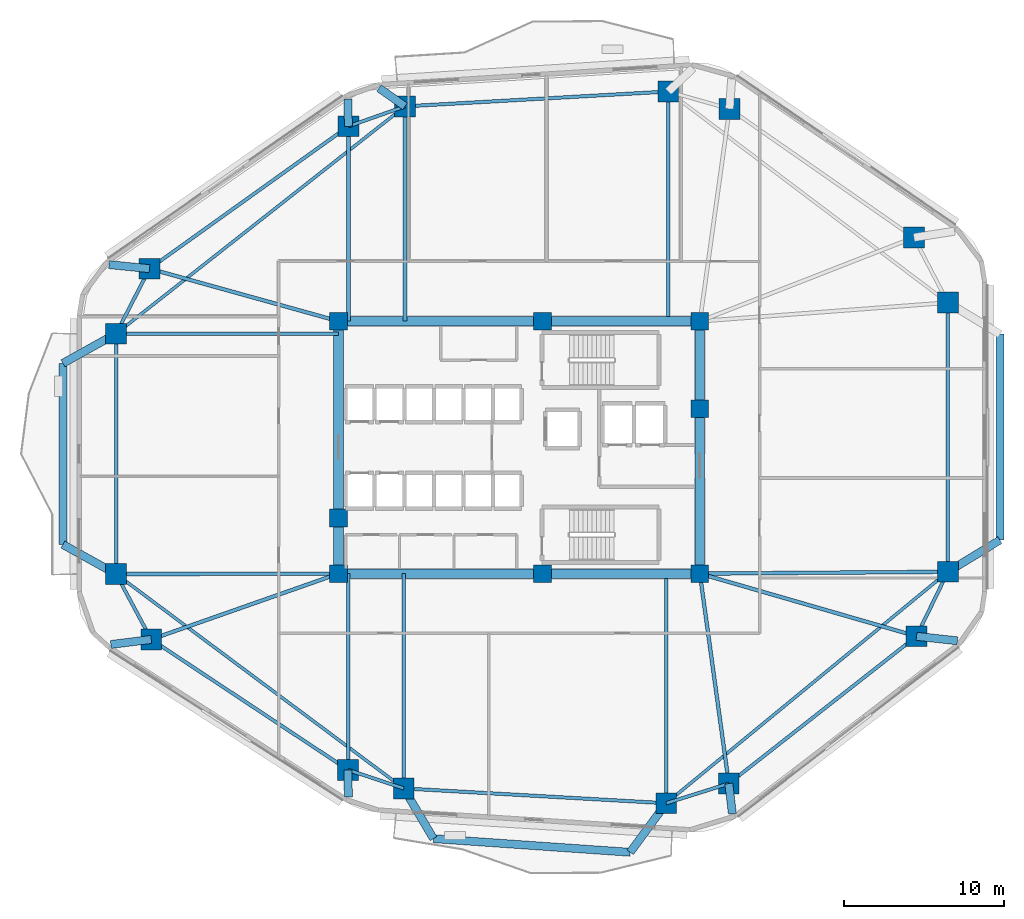
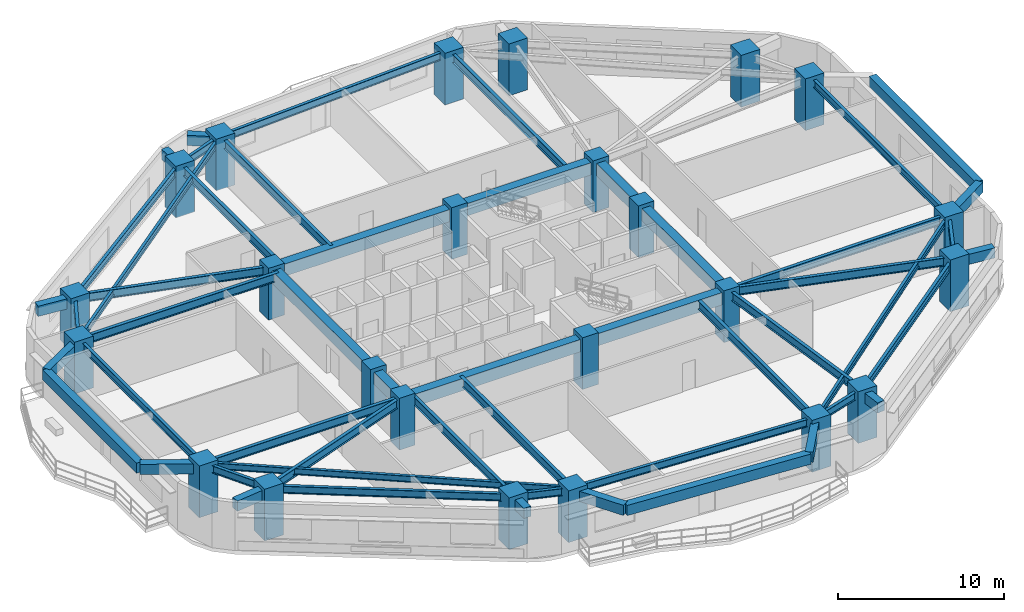
# One storey, part 1 of 9: 52 beams, 24 columns.
"""IFC4 building model written with IfcOpenShell, lengths in metres."""

from ifc_helpers import new_model, si_unit, direction, frame, origin, origin_2d, place, context, subcontext, project, spatial, rectangle, i_section, extrude, material, material_profile, profile_set, type_object, element, save


model = new_model("IFC4")

# Units and contexts
model_context = context("Model", 3, precision=1e-05, world=origin(), true_north=direction((0.0, 1.0)))
body_context = subcontext(model_context, "Body", "Model", "MODEL_VIEW")
ifc_project = project(units=[si_unit("LENGTHUNIT", "METRE"), si_unit("AREAUNIT", "SQUARE_METRE"), si_unit("VOLUMEUNIT", "CUBIC_METRE"), si_unit("PLANEANGLEUNIT", "RADIAN"), si_unit("MASSUNIT", "GRAM", prefix="KILO")], contexts=[model_context])

# Site, building, storey
site_placement = place(None, origin())
site = spatial("IfcSite", under=ifc_project, at=site_placement, CompositionType="ELEMENT")
building_placement = place(site_placement, origin())
building = spatial("IfcBuilding", under=site, at=building_placement, Name="Zulverin Broadcast Headquarters", CompositionType="ELEMENT")
storey_placement = place(building_placement, frame((0.0, 0.0, 51.60009765625)))
storey = spatial("IfcBuildingStorey", under=building, at=storey_placement, Name="L12", CompositionType="ELEMENT", Elevation=51.60009765625)

# Columns
ifc_material_1 = material(Name="Concrete C60/75", Category="concrete")
ifc_material_profile_1 = material_profile(ifc_material_1, rectangle(XDim=1.300048828125, YDim=1.300048828125, at=origin_2d()), Name="Concrete C60/75", Category="concrete")
ifc_profile_set_1 = profile_set([ifc_material_profile_1], Name="Concrete C60/75")
column_type_1 = type_object("IfcColumnType", Name="COL-RC-1300", PredefinedType="COLUMN", material=ifc_profile_set_1)
for number, where, z_axis, x_axis, name in (
    (1, (29.79638671875, 3.922119140625, 0.0), (0.0, 0.0, 1.0), (1.0, 0.0, 0.0), "L12 Perimeter Column T01"),
    (2, (46.175048828125, 2.997802734375, 0.0), (0.0, 0.0, 1.0), (1.0, 0.0, 0.0), "L12 Perimeter Column T02"),
    (3, (50.08056640625, 4.22509765625, 0.0), (0.0, 0.0, 1.0), (1.0, 0.0, 0.0), "L12 Perimeter Column T03"),
    (4, (61.79296875, 13.416259765625, 0.0), (0.0, 0.0, 1.0), (1.0, 0.0, 0.0), "L12 Perimeter Column T04"),
    (5, (63.75, 17.439697265625, 0.0), (0.0, 0.0, 1.0), (1.0, 0.0, 0.0), "L12 Perimeter Column T05"),
    (6, (63.75, 34.235107421875, 0.0), (0.0, 0.0, 1.0), (1.0, 0.0, 0.0), "L12 Perimeter Column T06"),
    (7, (61.630126953125, 38.298583984375, 0.0), (0.0, 0.0, 1.0), (1.0, 0.0, 0.0), "L12 Perimeter Column T07"),
    (8, (50.121826171875, 46.325927734375, 0.0), (0.0, 0.0, 1.0), (1.0, 0.0, 0.0), "L12 Perimeter Column T08"),
    (9, (46.30224609375, 47.4091796875, 0.0), (0.0, 0.0, 1.0), (1.0, 0.0, 0.0), "L12 Perimeter Column T09"),
    (10, (29.873779296875, 46.482177734375, 0.0), (0.0, 0.0, 1.0), (1.0, 0.0, 0.0), "L12 Perimeter Column T10"),
    (11, (26.344482421875, 45.23828125, 0.0), (0.0, 0.0, 1.0), (1.0, 0.0, 0.0), "L12 Perimeter Column T11"),
    (12, (13.934326171875, 36.353759765625, 0.0), (0.0, 0.0, 1.0), (1.0, 0.0, 0.0), "L12 Perimeter Column T12"),
    (13, (11.85009765625, 32.298095703125, 0.0), (0.0, 0.0, 1.0), (1.0, 0.0, 0.0), "L12 Perimeter Column T13"),
    (14, (11.85009765625, 17.297607421875, 0.0), (0.0, 0.0, 1.0), (1.0, 0.0, 0.0), "L12 Perimeter Column T14"),
    (15, (14.0390625, 13.219970703125, 0.0), (0.0, 0.0, 1.0), (1.0, 0.0, 0.0), "L12 Perimeter Column T15"),
    (16, (26.3251953125, 5.075927734375, 0.0), (0.0, 0.0, 1.0), (1.0, 0.0, 0.0), "L12 Perimeter Column T16"),
):
    element("IfcColumn", number, at=place(storey_placement, frame(where, z_axis=z_axis, x_axis=x_axis)), inside=storey, type_object=column_type_1, Name=name, PredefinedType="COLUMN", context=body_context, shape_type="SweptSolid", body=[
        extrude(rectangle(XDim=1.300048828125, YDim=1.300048828125, at=origin_2d()), origin(), (0.0, 0.0, 1.0), 3.7998046875),
    ])
ifc_material_profile_2 = material_profile(ifc_material_1, rectangle(XDim=1.10009765625, YDim=1.10009765625, at=origin_2d()), Name="Concrete C60/75", Category="concrete")
ifc_profile_set_2 = profile_set([ifc_material_profile_2], Name="Concrete C60/75")
column_type_2 = type_object("IfcColumnType", Name="PIL-RC-1100", PredefinedType="PILASTER", material=ifc_profile_set_2)
for number, where, z_axis, x_axis, name in (
    (17, (25.72509765625, 17.324951171875, 0.0), (0.0, 0.0, 1.0), (1.0, 0.0, 0.0), "L12 Core Pilaster K01"),
    (18, (38.449951171875, 17.324951171875, 0.0), (0.0, 0.0, 1.0), (1.0, 0.0, 0.0), "L12 Core Pilaster K02"),
    (19, (48.27490234375, 17.324951171875, 0.0), (0.0, 0.0, 1.0), (1.0, 0.0, 0.0), "L12 Core Pilaster K03"),
    (20, (48.27490234375, 27.6201171875, 0.0), (0.0, 0.0, 1.0), (1.0, 0.0, 0.0), "L12 Core Pilaster K04"),
    (21, (48.27490234375, 33.074951171875, 0.0), (0.0, 0.0, 1.0), (1.0, 0.0, 0.0), "L12 Core Pilaster K05"),
    (22, (38.449951171875, 33.074951171875, 0.0), (0.0, 0.0, 1.0), (1.0, 0.0, 0.0), "L12 Core Pilaster K06"),
    (23, (25.72509765625, 33.074951171875, 0.0), (0.0, 0.0, 1.0), (1.0, 0.0, 0.0), "L12 Core Pilaster K07"),
    (24, (25.72509765625, 20.800048828125, 0.0), (0.0, 0.0, 1.0), (1.0, 0.0, 0.0), "L12 Core Pilaster K08"),
):
    element("IfcColumn", number, at=place(storey_placement, frame(where, z_axis=z_axis, x_axis=x_axis)), inside=storey, type_object=column_type_2, Name=name, PredefinedType="PILASTER", context=body_context, shape_type="SweptSolid", body=[
        extrude(rectangle(XDim=1.10009765625, YDim=1.10009765625, at=origin_2d()), origin(), (0.0, 0.0, 1.0), 3.7998046875),
    ])

# Beams
ifc_material_profile_3 = material_profile(ifc_material_1, rectangle(XDim=0.60009765625, YDim=0.89990234375, at=origin_2d()), Name="Concrete C60/75", Category="concrete")
ifc_profile_set_3 = profile_set([ifc_material_profile_3], Name="Concrete C60/75")
beam_type_1 = type_object("IfcBeamType", Name="BM-CB-600x900", PredefinedType="LINTEL", material=ifc_profile_set_3)
beam_1_placement = place(storey_placement, frame((25.72509765625, 17.324951171875, 3.074951171875), z_axis=(1.0, 0.0, 0.0), x_axis=(0.0, 1.0, 0.0)))
element("IfcBeam", 25, at=beam_1_placement, inside=storey, type_object=beam_type_1, Name="L12 Core Coupling Girder K01-K02", PredefinedType="LINTEL", context=body_context, shape_type="SweptSolid", body=[
    extrude(rectangle(XDim=0.60009765625, YDim=0.89990234375, at=origin_2d()), origin(), (0.0, 0.0, 1.0), 12.724853515625),
])
beam_2_placement = place(storey_placement, frame((38.449951171875, 17.324951171875, 3.074951171875), z_axis=(1.0, 0.0, 0.0), x_axis=(0.0, 1.0, 0.0)))
element("IfcBeam", 26, at=beam_2_placement, inside=storey, type_object=beam_type_1, Name="L12 Core Coupling Girder K02-K03", PredefinedType="LINTEL", context=body_context, shape_type="SweptSolid", body=[
    extrude(rectangle(XDim=0.60009765625, YDim=0.89990234375, at=origin_2d()), origin(), (0.0, 0.0, 1.0), 9.824951171875),
])
beam_3_placement = place(storey_placement, frame((48.27490234375, 17.324951171875, 3.074951171875), z_axis=(0.0, 1.0, 0.0), x_axis=(-1.0, 0.0, 0.0)))
element("IfcBeam", 27, at=beam_3_placement, inside=storey, type_object=beam_type_1, Name="L12 Core Coupling Girder K03-K04", PredefinedType="LINTEL", context=body_context, shape_type="SweptSolid", body=[
    extrude(rectangle(XDim=0.60009765625, YDim=0.89990234375, at=origin_2d()), origin(), (0.0, 0.0, 1.0), 10.295166015625),
])
beam_4_placement = place(storey_placement, frame((48.27490234375, 27.6201171875, 3.074951171875), z_axis=(0.0, 1.0, 0.0), x_axis=(-1.0, 0.0, 0.0)))
element("IfcBeam", 28, at=beam_4_placement, inside=storey, type_object=beam_type_1, Name="L12 Core Coupling Girder K04-K05", PredefinedType="LINTEL", context=body_context, shape_type="SweptSolid", body=[
    extrude(rectangle(XDim=0.60009765625, YDim=0.89990234375, at=origin_2d()), origin(), (0.0, 0.0, 1.0), 5.454833984375),
])
beam_5_placement = place(storey_placement, frame((48.27490234375, 33.074951171875, 3.074951171875), z_axis=(-1.0, 0.0, 0.0), x_axis=(0.0, -1.0, 0.0)))
element("IfcBeam", 29, at=beam_5_placement, inside=storey, type_object=beam_type_1, Name="L12 Core Coupling Girder K05-K06", PredefinedType="LINTEL", context=body_context, shape_type="SweptSolid", body=[
    extrude(rectangle(XDim=0.60009765625, YDim=0.89990234375, at=origin_2d()), origin(), (0.0, 0.0, 1.0), 9.824951171875),
])
beam_6_placement = place(storey_placement, frame((38.449951171875, 33.074951171875, 3.074951171875), z_axis=(-1.0, 0.0, 0.0), x_axis=(0.0, -1.0, 0.0)))
element("IfcBeam", 30, at=beam_6_placement, inside=storey, type_object=beam_type_1, Name="L12 Core Coupling Girder K06-K07", PredefinedType="LINTEL", context=body_context, shape_type="SweptSolid", body=[
    extrude(rectangle(XDim=0.60009765625, YDim=0.89990234375, at=origin_2d()), origin(), (0.0, 0.0, 1.0), 12.724853515625),
])
beam_7_placement = place(storey_placement, frame((25.72509765625, 33.074951171875, 3.074951171875), z_axis=(0.0, -1.0, 0.0), x_axis=(1.0, 0.0, 0.0)))
element("IfcBeam", 31, at=beam_7_placement, inside=storey, type_object=beam_type_1, Name="L12 Core Coupling Girder K07-K08", PredefinedType="LINTEL", context=body_context, shape_type="SweptSolid", body=[
    extrude(rectangle(XDim=0.60009765625, YDim=0.89990234375, at=origin_2d()), origin(), (0.0, 0.0, 1.0), 12.27490234375),
])
beam_8_placement = place(storey_placement, frame((25.72509765625, 20.800048828125, 3.074951171875), z_axis=(0.0, -1.0, 0.0), x_axis=(1.0, 0.0, 0.0)))
element("IfcBeam", 32, at=beam_8_placement, inside=storey, type_object=beam_type_1, Name="L12 Core Coupling Girder K08-K01", PredefinedType="LINTEL", context=body_context, shape_type="SweptSolid", body=[
    extrude(rectangle(XDim=0.60009765625, YDim=0.89990234375, at=origin_2d()), origin(), (0.0, 0.0, 1.0), 3.47509765625),
])
ifc_material_2 = material(Name="Concrete C40/50", Category="concrete")
ifc_material_profile_4 = material_profile(ifc_material_2, rectangle(XDim=0.5, YDim=0.75, at=origin_2d()), Name="Concrete C40/50", Category="concrete")
ifc_profile_set_4 = profile_set([ifc_material_profile_4], Name="Concrete C40/50")
beam_type_2 = type_object("IfcBeamType", Name="BM-RC-500x750", PredefinedType="BEAM", material=ifc_profile_set_4)
beam_9_placement = place(storey_placement, frame((50.08056640625, 4.22509765625, 3.14990234375), z_axis=(0.115916621896, -0.99325894749, 0.0), x_axis=(0.99325894749, 0.115916621896, 0.0)))
element("IfcBeam", 33, at=beam_9_placement, inside=storey, type_object=beam_type_2, Name="L13 Plate Overhang Back-Spanned Beam OVR-03", PredefinedType="BEAM", context=body_context, shape_type="SweptSolid", body=[
    extrude(rectangle(XDim=0.5, YDim=0.75, at=origin_2d()), origin(), (0.0, 0.0, 1.0), 1.899658203125),
])
beam_10_placement = place(storey_placement, frame((61.79296875, 13.416259765625, 3.14990234375), z_axis=(0.993797661948, -0.111203449166, 0.0), x_axis=(0.111203449166, 0.993797661948, 0.0)))
element("IfcBeam", 34, at=beam_10_placement, inside=storey, type_object=beam_type_2, Name="L13 Plate Overhang Back-Spanned Beam OVR-04", PredefinedType="BEAM", context=body_context, shape_type="SweptSolid", body=[
    extrude(rectangle(XDim=0.5, YDim=0.75, at=origin_2d()), origin(), (0.0, 0.0, 1.0), 2.568603515625),
])
beam_11_placement = place(storey_placement, frame((29.873779296875, 46.482177734375, 3.14990234375), z_axis=(-0.817148773783, 0.576426822333, 0.0), x_axis=(-0.576426822333, -0.817148773783, 0.0)))
element("IfcBeam", 35, at=beam_11_placement, inside=storey, type_object=beam_type_2, Name="L13 Plate Overhang Back-Spanned Beam OVR-10", PredefinedType="BEAM", context=body_context, shape_type="SweptSolid", body=[
    extrude(rectangle(XDim=0.5, YDim=0.75, at=origin_2d()), origin(), (0.0, 0.0, 1.0), 1.981689453125),
])
beam_12_placement = place(storey_placement, frame((26.344482421875, 45.23828125, 3.14990234375), z_axis=(-0.025024345209, 0.999686842039, 0.0), x_axis=(-0.999686842039, -0.025024345209, 0.0)))
element("IfcBeam", 36, at=beam_12_placement, inside=storey, type_object=beam_type_2, Name="L13 Plate Overhang Back-Spanned Beam OVR-11", PredefinedType="BEAM", context=body_context, shape_type="SweptSolid", body=[
    extrude(rectangle(XDim=0.5, YDim=0.75, at=origin_2d()), origin(), (0.0, 0.0, 1.0), 1.707275390625),
])
beam_13_placement = place(storey_placement, frame((13.934326171875, 36.353759765625, 3.14990234375), z_axis=(-0.995008621602, 0.09978899207, 0.0), x_axis=(-0.09978899207, -0.995008621602, 0.0)))
element("IfcBeam", 37, at=beam_13_placement, inside=storey, type_object=beam_type_2, Name="L13 Plate Overhang Back-Spanned Beam OVR-12", PredefinedType="BEAM", context=body_context, shape_type="SweptSolid", body=[
    extrude(rectangle(XDim=0.5, YDim=0.75, at=origin_2d()), origin(), (0.0, 0.0, 1.0), 2.5419921875),
])
beam_14_placement = place(storey_placement, frame((14.0390625, 13.219970703125, 3.14990234375), z_axis=(-0.992258640565, -0.124188526941, 0.0), x_axis=(0.124188526941, -0.992258640565, 0.0)))
element("IfcBeam", 38, at=beam_14_placement, inside=storey, type_object=beam_type_2, Name="L13 Plate Overhang Back-Spanned Beam OVR-15", PredefinedType="BEAM", context=body_context, shape_type="SweptSolid", body=[
    extrude(rectangle(XDim=0.5, YDim=0.75, at=origin_2d()), origin(), (0.0, 0.0, 1.0), 2.5400390625),
])
beam_15_placement = place(storey_placement, frame((26.3251953125, 5.075927734375, 3.14990234375), z_axis=(0.006204786761, -0.999980750125, 0.0), x_axis=(0.999980750125, 0.006204786761, 0.0)))
element("IfcBeam", 39, at=beam_15_placement, inside=storey, type_object=beam_type_2, Name="L13 Plate Overhang Back-Spanned Beam OVR-16", PredefinedType="BEAM", context=body_context, shape_type="SweptSolid", body=[
    extrude(rectangle(XDim=0.5, YDim=0.75, at=origin_2d()), origin(), (0.0, 0.0, 1.0), 1.69189453125),
])
beam_16_placement = place(storey_placement, frame((63.75, 17.439697265625, 3.14990234375), z_axis=(0.853769010652, 0.520651972483, 0.0), x_axis=(-0.520651972483, 0.853769010652, 0.0)))
element("IfcBeam", 40, at=beam_16_placement, inside=storey, type_object=beam_type_2, Name="L13 Balcony Column-Framed Cantilever BAL_E-1", PredefinedType="BEAM", context=body_context, shape_type="SweptSolid", body=[
    extrude(rectangle(XDim=0.5, YDim=0.75, at=origin_2d()), origin(), (0.0, 0.0, 1.0), 3.800048828125),
])
beam_17_placement = place(storey_placement, frame((66.994384765625, 19.418212890625, 3.14990234375), z_axis=(0.000531985561, 0.999999858496, 0.0), x_axis=(-0.999999858496, 0.000531985561, 0.0)))
element("IfcBeam", 41, at=beam_17_placement, inside=storey, type_object=beam_type_2, Name="L13 Balcony Outer Edge Trimmer Beam BAL_E", PredefinedType="BEAM", context=body_context, shape_type="SweptSolid", body=[
    extrude(rectangle(XDim=0.5, YDim=0.75, at=origin_2d()), origin(), (0.0, 0.0, 1.0), 12.849853515625),
])
beam_18_placement = place(storey_placement, frame((29.79638671875, 3.922119140625, 3.14990234375), z_axis=(0.50927124685, -0.860606063848, 0.0), x_axis=(0.860606063848, 0.50927124685, 0.0)))
element("IfcBeam", 42, at=beam_18_placement, inside=storey, type_object=beam_type_2, Name="L13 Balcony Column-Framed Cantilever BAL_S-1", PredefinedType="BEAM", context=body_context, shape_type="SweptSolid", body=[
    extrude(rectangle(XDim=0.5, YDim=0.75, at=origin_2d()), origin(), (0.0, 0.0, 1.0), 3.641845703125),
])
beam_19_placement = place(storey_placement, frame((46.175048828125, 2.997802734375, 3.14990234375), z_axis=(-0.592479980496, -0.805585174088, 0.0), x_axis=(0.805585174088, -0.592479980496, 0.0)))
element("IfcBeam", 43, at=beam_19_placement, inside=storey, type_object=beam_type_2, Name="L13 Balcony Column-Framed Cantilever BAL_S-2", PredefinedType="BEAM", context=body_context, shape_type="SweptSolid", body=[
    extrude(rectangle(XDim=0.5, YDim=0.75, at=origin_2d()), origin(), (0.0, 0.0, 1.0), 3.800048828125),
])
beam_20_placement = place(storey_placement, frame((31.651123046875, 0.787841796875, 3.14990234375), z_axis=(0.997602675733, -0.069201888483, 0.0), x_axis=(0.069201888483, 0.997602675733, 0.0)))
element("IfcBeam", 44, at=beam_20_placement, inside=storey, type_object=beam_type_2, Name="L13 Balcony Outer Edge Trimmer Beam BAL_S", PredefinedType="BEAM", context=body_context, shape_type="SweptSolid", body=[
    extrude(rectangle(XDim=0.5, YDim=0.75, at=origin_2d()), origin(), (0.0, 0.0, 1.0), 12.302001953125),
])
beam_21_placement = place(storey_placement, frame((11.85009765625, 32.298095703125, 3.14990234375), z_axis=(-0.873763019306, -0.486351915893, 0.0), x_axis=(0.486351915893, -0.873763019306, 0.0)))
element("IfcBeam", 45, at=beam_21_placement, inside=storey, type_object=beam_type_2, Name="L13 Balcony Column-Framed Cantilever BAL_W-1", PredefinedType="BEAM", context=body_context, shape_type="SweptSolid", body=[
    extrude(rectangle(XDim=0.5, YDim=0.75, at=origin_2d()), origin(), (0.0, 0.0, 1.0), 3.800048828125),
])
beam_22_placement = place(storey_placement, frame((11.85009765625, 17.297607421875, 3.14990234375), z_axis=(-0.874363278793, 0.485271940975, 0.0), x_axis=(-0.485271940975, -0.874363278793, 0.0)))
element("IfcBeam", 46, at=beam_22_placement, inside=storey, type_object=beam_type_2, Name="L13 Balcony Column-Framed Cantilever BAL_W-2", PredefinedType="BEAM", context=body_context, shape_type="SweptSolid", body=[
    extrude(rectangle(XDim=0.5, YDim=0.75, at=origin_2d()), origin(), (0.0, 0.0, 1.0), 3.7998046875),
])
beam_23_placement = place(storey_placement, frame((8.52978515625, 30.449951171875, 3.14990234375), z_axis=(-0.000194304709, -0.999999981123, 0.0), x_axis=(0.999999981123, -0.000194304709, 0.0)))
element("IfcBeam", 47, at=beam_23_placement, inside=storey, type_object=beam_type_2, Name="L13 Balcony Outer Edge Trimmer Beam BAL_W", PredefinedType="BEAM", context=body_context, shape_type="SweptSolid", body=[
    extrude(rectangle(XDim=0.5, YDim=0.75, at=origin_2d()), origin(), (0.0, 0.0, 1.0), 11.308349609375),
])
ifc_material_3 = material(Name="Structural steel S355JR", Category="steel")
ifc_material_profile_5 = material_profile(ifc_material_3, i_section(OverallWidth=0.19287109375, OverallDepth=0.46728515625, WebThickness=0.011474609375, FlangeThickness=0.01953125, at=origin_2d()), Name="Structural steel S355JR", Category="steel")
ifc_profile_set_5 = profile_set([ifc_material_profile_5], Name="Structural steel S355JR")
beam_type_3 = type_object("IfcBeamType", Name="BM-UB-457", PredefinedType="JOIST", material=ifc_profile_set_5)
beam_24_placement = place(storey_placement, frame((46.175048828125, 2.997802734375, 3.291259765625), z_axis=(0.772611370623, 0.634879256224, 0.0), x_axis=(-0.634879256224, 0.772611370623, 0.0)))
element("IfcBeam", 48, at=beam_24_placement, inside=storey, type_object=beam_type_3, Name="L12 Chordal Floor Joist J-01", PredefinedType="JOIST", context=body_context, shape_type="SweptSolid", body=[
    extrude(i_section(OverallWidth=0.19287109375, OverallDepth=0.46728515625, WebThickness=0.011474609375, FlangeThickness=0.01953125, at=origin_2d()), origin(), (0.0, 0.0, 1.0), 22.74755859375),
])
beam_25_placement = place(storey_placement, frame((29.873779296875, 46.482177734375, 3.291259765625), z_axis=(-0.78583902739, -0.618431098047, 0.0), x_axis=(0.618431098047, -0.78583902739, 0.0)))
element("IfcBeam", 49, at=beam_25_placement, inside=storey, type_object=beam_type_3, Name="L12 Chordal Floor Joist J-03", PredefinedType="JOIST", context=body_context, shape_type="SweptSolid", body=[
    extrude(i_section(OverallWidth=0.19287109375, OverallDepth=0.46728515625, WebThickness=0.011474609375, FlangeThickness=0.01953125, at=origin_2d()), origin(), (0.0, 0.0, 1.0), 22.935546875),
])
beam_26_placement = place(storey_placement, frame((11.85009765625, 17.297607421875, 3.291259765625), z_axis=(0.801802688634, -0.59758886243, 0.0), x_axis=(0.59758886243, 0.801802688634, 0.0)))
element("IfcBeam", 50, at=beam_26_placement, inside=storey, type_object=beam_type_3, Name="L12 Chordal Floor Joist J-04", PredefinedType="JOIST", context=body_context, shape_type="SweptSolid", body=[
    extrude(i_section(OverallWidth=0.19287109375, OverallDepth=0.46728515625, WebThickness=0.011474609375, FlangeThickness=0.01953125, at=origin_2d()), origin(), (0.0, 0.0, 1.0), 22.38232421875),
])
ifc_material_profile_6 = material_profile(ifc_material_3, i_section(OverallWidth=0.2119140625, OverallDepth=0.54443359375, WebThickness=0.0126953125, FlangeThickness=0.021240234375, at=origin_2d()), Name="Structural steel S355JR", Category="steel")
ifc_profile_set_6 = profile_set([ifc_material_profile_6], Name="Structural steel S355JR")
beam_type_4 = type_object("IfcBeamType", Name="BM-UB-533", PredefinedType="SPANDREL", material=ifc_profile_set_6)
beam_27_placement = place(storey_placement, frame((29.79638671875, 3.922119140625, 3.252685546875), z_axis=(0.998411385104, -0.056344530297, 0.0), x_axis=(0.056344530297, 0.998411385104, 0.0)))
element("IfcBeam", 51, at=beam_27_placement, inside=storey, type_object=beam_type_4, Name="L12 Perimeter Spandrel Beam SP-01", PredefinedType="SPANDREL", context=body_context, shape_type="SweptSolid", body=[
    extrude(i_section(OverallWidth=0.2119140625, OverallDepth=0.54443359375, WebThickness=0.0126953125, FlangeThickness=0.021240234375, at=origin_2d()), origin(), (0.0, 0.0, 1.0), 16.40478515625),
])
beam_28_placement = place(storey_placement, frame((46.175048828125, 2.997802734375, 3.252685546875), z_axis=(0.954004438448, 0.299792480595, 0.0), x_axis=(-0.299792480595, 0.954004438448, 0.0)))
element("IfcBeam", 52, at=beam_28_placement, inside=storey, type_object=beam_type_4, Name="L12 Perimeter Spandrel Beam SP-02", PredefinedType="SPANDREL", context=body_context, shape_type="SweptSolid", body=[
    extrude(i_section(OverallWidth=0.2119140625, OverallDepth=0.54443359375, WebThickness=0.0126953125, FlangeThickness=0.021240234375, at=origin_2d()), origin(), (0.0, 0.0, 1.0), 4.09375),
])
beam_29_placement = place(storey_placement, frame((50.08056640625, 4.22509765625, 3.252685546875), z_axis=(0.786691476208, 0.617346354376, 0.0), x_axis=(-0.617346354376, 0.786691476208, 0.0)))
element("IfcBeam", 53, at=beam_29_placement, inside=storey, type_object=beam_type_4, Name="L12 Perimeter Spandrel Beam SP-03", PredefinedType="SPANDREL", context=body_context, shape_type="SweptSolid", body=[
    extrude(i_section(OverallWidth=0.2119140625, OverallDepth=0.54443359375, WebThickness=0.0126953125, FlangeThickness=0.021240234375, at=origin_2d()), origin(), (0.0, 0.0, 1.0), 14.88818359375),
])
beam_30_placement = place(storey_placement, frame((61.79296875, 13.416259765625, 3.252685546875), z_axis=(0.437408475872, 0.899262934428, 0.0), x_axis=(-0.899262934428, 0.437408475872, 0.0)))
element("IfcBeam", 54, at=beam_30_placement, inside=storey, type_object=beam_type_4, Name="L12 Perimeter Spandrel Beam SP-04", PredefinedType="SPANDREL", context=body_context, shape_type="SweptSolid", body=[
    extrude(i_section(OverallWidth=0.2119140625, OverallDepth=0.54443359375, WebThickness=0.0126953125, FlangeThickness=0.021240234375, at=origin_2d()), origin(), (0.0, 0.0, 1.0), 4.47412109375),
])
beam_31_placement = place(storey_placement, frame((63.75, 17.439697265625, 3.252685546875), z_axis=(0.0, 1.0, 0.0), x_axis=(-1.0, 0.0, 0.0)))
element("IfcBeam", 55, at=beam_31_placement, inside=storey, type_object=beam_type_4, Name="L12 Perimeter Spandrel Beam SP-05", PredefinedType="SPANDREL", context=body_context, shape_type="SweptSolid", body=[
    extrude(i_section(OverallWidth=0.2119140625, OverallDepth=0.54443359375, WebThickness=0.0126953125, FlangeThickness=0.021240234375, at=origin_2d()), origin(), (0.0, 0.0, 1.0), 16.79541015625),
])
beam_32_placement = place(storey_placement, frame((46.30224609375, 47.4091796875, 3.252685546875), z_axis=(-0.998411812904, -0.056336949274, 0.0), x_axis=(0.056336949274, -0.998411812904, 0.0)))
element("IfcBeam", 56, at=beam_32_placement, inside=storey, type_object=beam_type_4, Name="L12 Perimeter Spandrel Beam SP-09", PredefinedType="SPANDREL", context=body_context, shape_type="SweptSolid", body=[
    extrude(i_section(OverallWidth=0.2119140625, OverallDepth=0.54443359375, WebThickness=0.0126953125, FlangeThickness=0.021240234375, at=origin_2d()), origin(), (0.0, 0.0, 1.0), 16.45458984375),
])
beam_33_placement = place(storey_placement, frame((29.873779296875, 46.482177734375, 3.252685546875), z_axis=(-0.943135983398, -0.332407155189, 0.0), x_axis=(0.332407155189, -0.943135983398, 0.0)))
element("IfcBeam", 57, at=beam_33_placement, inside=storey, type_object=beam_type_4, Name="L12 Perimeter Spandrel Beam SP-10", PredefinedType="SPANDREL", context=body_context, shape_type="SweptSolid", body=[
    extrude(i_section(OverallWidth=0.2119140625, OverallDepth=0.54443359375, WebThickness=0.0126953125, FlangeThickness=0.021240234375, at=origin_2d()), origin(), (0.0, 0.0, 1.0), 3.7421875),
])
beam_34_placement = place(storey_placement, frame((26.344482421875, 45.23828125, 3.252685546875), z_axis=(-0.813109374453, -0.582110938891, 0.0), x_axis=(0.582110938891, -0.813109374453, 0.0)))
element("IfcBeam", 58, at=beam_34_placement, inside=storey, type_object=beam_type_4, Name="L12 Perimeter Spandrel Beam SP-11", PredefinedType="SPANDREL", context=body_context, shape_type="SweptSolid", body=[
    extrude(i_section(OverallWidth=0.2119140625, OverallDepth=0.54443359375, WebThickness=0.0126953125, FlangeThickness=0.021240234375, at=origin_2d()), origin(), (0.0, 0.0, 1.0), 15.2626953125),
])
beam_35_placement = place(storey_placement, frame((13.934326171875, 36.353759765625, 3.252685546875), z_axis=(-0.457080631948, -0.889425261558, 0.0), x_axis=(0.889425261558, -0.457080631948, 0.0)))
element("IfcBeam", 59, at=beam_35_placement, inside=storey, type_object=beam_type_4, Name="L12 Perimeter Spandrel Beam SP-12", PredefinedType="SPANDREL", context=body_context, shape_type="SweptSolid", body=[
    extrude(i_section(OverallWidth=0.2119140625, OverallDepth=0.54443359375, WebThickness=0.0126953125, FlangeThickness=0.021240234375, at=origin_2d()), origin(), (0.0, 0.0, 1.0), 4.559814453125),
])
beam_36_placement = place(storey_placement, frame((11.85009765625, 32.298095703125, 3.252685546875), z_axis=(0.0, -1.0, 0.0), x_axis=(1.0, 0.0, 0.0)))
element("IfcBeam", 60, at=beam_36_placement, inside=storey, type_object=beam_type_4, Name="L12 Perimeter Spandrel Beam SP-13", PredefinedType="SPANDREL", context=body_context, shape_type="SweptSolid", body=[
    extrude(i_section(OverallWidth=0.2119140625, OverallDepth=0.54443359375, WebThickness=0.0126953125, FlangeThickness=0.021240234375, at=origin_2d()), origin(), (0.0, 0.0, 1.0), 15.00048828125),
])
beam_37_placement = place(storey_placement, frame((11.85009765625, 17.297607421875, 3.252685546875), z_axis=(0.472979536362, -0.881073412482, 0.0), x_axis=(0.881073412482, 0.472979536362, 0.0)))
element("IfcBeam", 61, at=beam_37_placement, inside=storey, type_object=beam_type_4, Name="L12 Perimeter Spandrel Beam SP-14", PredefinedType="SPANDREL", context=body_context, shape_type="SweptSolid", body=[
    extrude(i_section(OverallWidth=0.2119140625, OverallDepth=0.54443359375, WebThickness=0.0126953125, FlangeThickness=0.021240234375, at=origin_2d()), origin(), (0.0, 0.0, 1.0), 4.6279296875),
])
beam_38_placement = place(storey_placement, frame((14.0390625, 13.219970703125, 3.252685546875), z_axis=(0.833510030956, -0.552504324232, 0.0), x_axis=(0.552504324232, 0.833510030956, 0.0)))
element("IfcBeam", 62, at=beam_38_placement, inside=storey, type_object=beam_type_4, Name="L12 Perimeter Spandrel Beam SP-15", PredefinedType="SPANDREL", context=body_context, shape_type="SweptSolid", body=[
    extrude(i_section(OverallWidth=0.2119140625, OverallDepth=0.54443359375, WebThickness=0.0126953125, FlangeThickness=0.021240234375, at=origin_2d()), origin(), (0.0, 0.0, 1.0), 14.740234375),
])
beam_39_placement = place(storey_placement, frame((26.3251953125, 5.075927734375, 3.252685546875), z_axis=(0.948949931395, -0.315426739047, 0.0), x_axis=(0.315426739047, 0.948949931395, 0.0)))
element("IfcBeam", 63, at=beam_39_placement, inside=storey, type_object=beam_type_4, Name="L12 Perimeter Spandrel Beam SP-16", PredefinedType="SPANDREL", context=body_context, shape_type="SweptSolid", body=[
    extrude(i_section(OverallWidth=0.2119140625, OverallDepth=0.54443359375, WebThickness=0.0126953125, FlangeThickness=0.021240234375, at=origin_2d()), origin(), (0.0, 0.0, 1.0), 3.657958984375),
])
ifc_material_profile_7 = material_profile(ifc_material_3, i_section(OverallWidth=0.230224609375, OverallDepth=0.6171875, WebThickness=0.01318359375, FlangeThickness=0.022216796875, at=origin_2d()), Name="Structural steel S355JR", Category="steel")
ifc_profile_set_7 = profile_set([ifc_material_profile_7], Name="Structural steel S355JR")
beam_type_5 = type_object("IfcBeamType", Name="BM-UB-610", PredefinedType="BEAM", material=ifc_profile_set_7)
beam_40_placement = place(storey_placement, frame((29.79638671875, 17.324951171875, 3.21630859375), z_axis=(0.0, -1.0, 0.0), x_axis=(1.0, 0.0, 0.0)))
element("IfcBeam", 64, at=beam_40_placement, inside=storey, type_object=beam_type_5, Name="L12 Radial Primary Floor Beam RB-01", PredefinedType="BEAM", context=body_context, shape_type="SweptSolid", body=[
    extrude(i_section(OverallWidth=0.230224609375, OverallDepth=0.6171875, WebThickness=0.01318359375, FlangeThickness=0.022216796875, at=origin_2d()), origin(), (0.0, 0.0, 1.0), 13.40283203125),
])
beam_41_placement = place(storey_placement, frame((46.175048828125, 17.324951171875, 3.21630859375), z_axis=(0.0, -1.0, 0.0), x_axis=(1.0, 0.0, 0.0)))
element("IfcBeam", 65, at=beam_41_placement, inside=storey, type_object=beam_type_5, Name="L12 Radial Primary Floor Beam RB-02", PredefinedType="BEAM", context=body_context, shape_type="SweptSolid", body=[
    extrude(i_section(OverallWidth=0.230224609375, OverallDepth=0.6171875, WebThickness=0.01318359375, FlangeThickness=0.022216796875, at=origin_2d()), origin(), (0.0, 0.0, 1.0), 14.3271484375),
])
beam_42_placement = place(storey_placement, frame((48.27490234375, 17.324951171875, 3.21630859375), z_axis=(0.136547433081, -0.990633533916, 0.0), x_axis=(0.990633533916, 0.136547433081, 0.0)))
element("IfcBeam", 66, at=beam_42_placement, inside=storey, type_object=beam_type_5, Name="L12 Radial Primary Floor Beam RB-03", PredefinedType="BEAM", context=body_context, shape_type="SweptSolid", body=[
    extrude(i_section(OverallWidth=0.230224609375, OverallDepth=0.6171875, WebThickness=0.01318359375, FlangeThickness=0.022216796875, at=origin_2d()), origin(), (0.0, 0.0, 1.0), 13.2236328125),
])
beam_43_placement = place(storey_placement, frame((48.27490234375, 17.324951171875, 3.21630859375), z_axis=(0.960648363311, -0.277767388416, 0.0), x_axis=(0.277767388416, 0.960648363311, 0.0)))
element("IfcBeam", 67, at=beam_43_placement, inside=storey, type_object=beam_type_5, Name="L12 Radial Primary Floor Beam RB-04", PredefinedType="BEAM", context=body_context, shape_type="SweptSolid", body=[
    extrude(i_section(OverallWidth=0.230224609375, OverallDepth=0.6171875, WebThickness=0.01318359375, FlangeThickness=0.022216796875, at=origin_2d()), origin(), (0.0, 0.0, 1.0), 14.07177734375),
])
beam_44_placement = place(storey_placement, frame((48.27490234375, 17.324951171875, 3.21630859375), z_axis=(0.999972510862, 0.007414682739, 0.0), x_axis=(-0.007414682739, 0.999972510862, 0.0)))
element("IfcBeam", 68, at=beam_44_placement, inside=storey, type_object=beam_type_5, Name="L12 Radial Primary Floor Beam RB-05", PredefinedType="BEAM", context=body_context, shape_type="SweptSolid", body=[
    extrude(i_section(OverallWidth=0.230224609375, OverallDepth=0.6171875, WebThickness=0.01318359375, FlangeThickness=0.022216796875, at=origin_2d()), origin(), (0.0, 0.0, 1.0), 15.4755859375),
])
beam_45_placement = place(storey_placement, frame((46.30224609375, 33.074951171875, 3.21630859375), z_axis=(0.0, 1.0, 0.0), x_axis=(-1.0, 0.0, 0.0)))
element("IfcBeam", 69, at=beam_45_placement, inside=storey, type_object=beam_type_5, Name="L12 Radial Primary Floor Beam RB-09", PredefinedType="BEAM", context=body_context, shape_type="SweptSolid", body=[
    extrude(i_section(OverallWidth=0.230224609375, OverallDepth=0.6171875, WebThickness=0.01318359375, FlangeThickness=0.022216796875, at=origin_2d()), origin(), (0.0, 0.0, 1.0), 14.334228515625),
])
beam_46_placement = place(storey_placement, frame((29.873779296875, 33.074951171875, 3.21630859375), z_axis=(0.0, 1.0, 0.0), x_axis=(-1.0, 0.0, 0.0)))
element("IfcBeam", 70, at=beam_46_placement, inside=storey, type_object=beam_type_5, Name="L12 Radial Primary Floor Beam RB-10", PredefinedType="BEAM", context=body_context, shape_type="SweptSolid", body=[
    extrude(i_section(OverallWidth=0.230224609375, OverallDepth=0.6171875, WebThickness=0.01318359375, FlangeThickness=0.022216796875, at=origin_2d()), origin(), (0.0, 0.0, 1.0), 13.4072265625),
])
beam_47_placement = place(storey_placement, frame((26.344482421875, 33.074951171875, 3.21630859375), z_axis=(0.0, 1.0, 0.0), x_axis=(-1.0, 0.0, 0.0)))
element("IfcBeam", 71, at=beam_47_placement, inside=storey, type_object=beam_type_5, Name="L12 Radial Primary Floor Beam RB-11", PredefinedType="BEAM", context=body_context, shape_type="SweptSolid", body=[
    extrude(i_section(OverallWidth=0.230224609375, OverallDepth=0.6171875, WebThickness=0.01318359375, FlangeThickness=0.022216796875, at=origin_2d()), origin(), (0.0, 0.0, 1.0), 12.163330078125),
])
beam_48_placement = place(storey_placement, frame((25.72509765625, 33.074951171875, 3.21630859375), z_axis=(-0.963442133037, 0.267916509922, 0.0), x_axis=(-0.267916509922, -0.963442133037, 0.0)))
element("IfcBeam", 72, at=beam_48_placement, inside=storey, type_object=beam_type_5, Name="L12 Radial Primary Floor Beam RB-12", PredefinedType="BEAM", context=body_context, shape_type="SweptSolid", body=[
    extrude(i_section(OverallWidth=0.230224609375, OverallDepth=0.6171875, WebThickness=0.01318359375, FlangeThickness=0.022216796875, at=origin_2d()), origin(), (0.0, 0.0, 1.0), 12.23828125),
])
for number, where, z_axis, x_axis, name in (
    (73, (25.72509765625, 32.298095703125, 3.21630859375), (-1.0, 0.0, 0.0), (0.0, -1.0, 0.0), "L12 Radial Primary Floor Beam RB-13"),
    (74, (25.72509765625, 17.324951171875, 3.21630859375), (-0.999998058136, -0.001970716894, 0.0), (0.001970716894, -0.999998058136, 0.0), "L12 Radial Primary Floor Beam RB-14"),
):
    element("IfcBeam", number, at=place(storey_placement, frame(where, z_axis=z_axis, x_axis=x_axis)), inside=storey, type_object=beam_type_5, Name=name, PredefinedType="BEAM", context=body_context, shape_type="SweptSolid", body=[
        extrude(i_section(OverallWidth=0.230224609375, OverallDepth=0.6171875, WebThickness=0.01318359375, FlangeThickness=0.022216796875, at=origin_2d()), origin(), (0.0, 0.0, 1.0), 13.875),
    ])
beam_49_placement = place(storey_placement, frame((25.72509765625, 17.324951171875, 3.21630859375), z_axis=(-0.943483462345, -0.331419607569, 0.0), x_axis=(0.331419607569, -0.943483462345, 0.0)))
element("IfcBeam", 75, at=beam_49_placement, inside=storey, type_object=beam_type_5, Name="L12 Radial Primary Floor Beam RB-15", PredefinedType="BEAM", context=body_context, shape_type="SweptSolid", body=[
    extrude(i_section(OverallWidth=0.230224609375, OverallDepth=0.6171875, WebThickness=0.01318359375, FlangeThickness=0.022216796875, at=origin_2d()), origin(), (0.0, 0.0, 1.0), 12.385986328125),
])
beam_50_placement = place(storey_placement, frame((26.3251953125, 17.324951171875, 3.21630859375), z_axis=(0.0, -1.0, 0.0), x_axis=(1.0, 0.0, 0.0)))
element("IfcBeam", 76, at=beam_50_placement, inside=storey, type_object=beam_type_5, Name="L12 Radial Primary Floor Beam RB-16", PredefinedType="BEAM", context=body_context, shape_type="SweptSolid", body=[
    extrude(i_section(OverallWidth=0.230224609375, OverallDepth=0.6171875, WebThickness=0.01318359375, FlangeThickness=0.022216796875, at=origin_2d()), origin(), (0.0, 0.0, 1.0), 12.2490234375),
])

save(model, "model.ifc")
